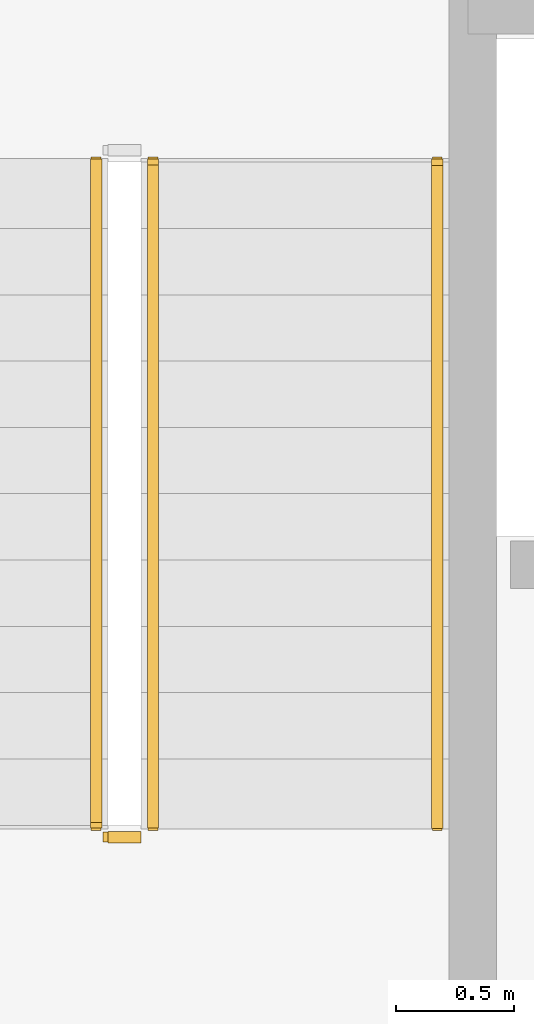
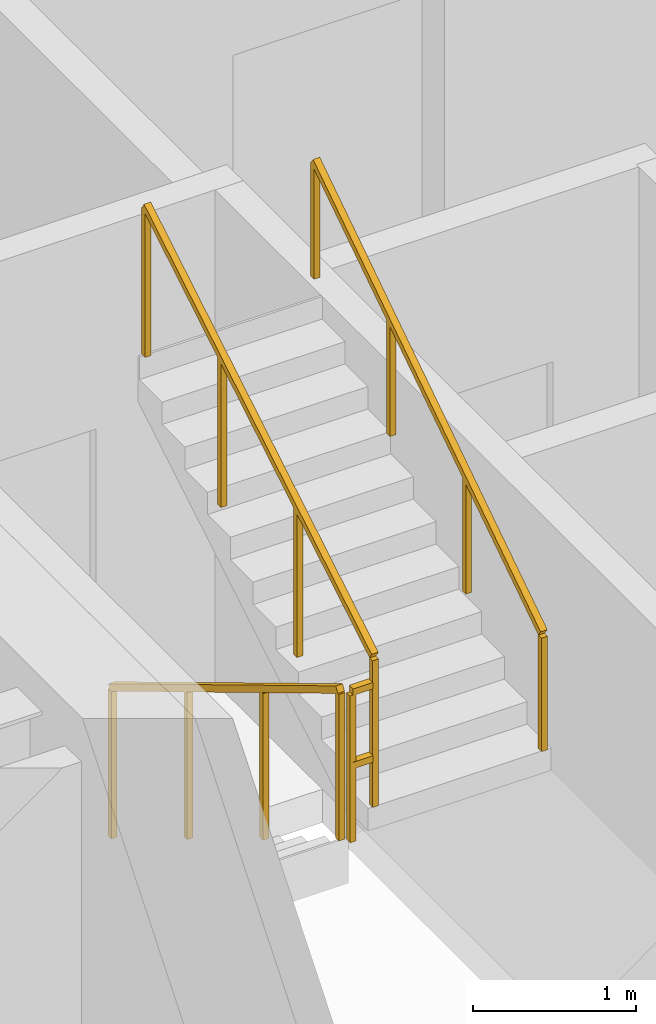
# One storey, part 15 of 19: 4 railings.
"""IFC4 building model written with IfcOpenShell, lengths in metres."""

from ifc_helpers import new_model, si_unit, derived_unit, direction, frame, origin, origin_2d, place, context, subcontext, project, spatial, rectangle, extrude, material, type_object, element, save


model = new_model("IFC4")

# Units and contexts
model_context = context("Model", 3, precision=1e-05, world=origin(), true_north=direction((0.0, 1.0)))
body_context = subcontext(model_context, "Body", "Model", "MODEL_VIEW")
ifc_project = project(units=[si_unit("LENGTHUNIT", "METRE"), si_unit("AREAUNIT", "SQUARE_METRE"), si_unit("VOLUMEUNIT", "CUBIC_METRE"), si_unit("PLANEANGLEUNIT", "RADIAN"), si_unit("MASSUNIT", "GRAM", prefix="KILO"), si_unit("THERMODYNAMICTEMPERATUREUNIT", "KELVIN"), si_unit("POWERUNIT", "WATT"), derived_unit("THERMALTRANSMITTANCEUNIT", [(si_unit("POWERUNIT", "WATT"), 1), (si_unit("AREAUNIT", "SQUARE_METRE"), -1), (si_unit("THERMODYNAMICTEMPERATUREUNIT", "KELVIN"), -1)])], contexts=[model_context])

# Site, building, storey
site_placement = place(None, origin())
site = spatial("IfcSite", under=ifc_project, at=site_placement, CompositionType="ELEMENT")
building_placement = place(site_placement, origin())
building = spatial("IfcBuilding", under=site, at=building_placement, Name="Zahravan Archway Hotel and Residences", CompositionType="ELEMENT")
storey_placement = place(building_placement, frame((0.0, 0.0, 54.60009765625)))
storey = spatial("IfcBuildingStorey", under=building, at=storey_placement, Name="L12", CompositionType="ELEMENT", Elevation=54.60009765625)

# Railings
ifc_material_1 = material(Name="Painted Tubular Steel", Category="steel")
railing_type_1 = type_object("IfcRailingType", Name="RL-STG-1150", PredefinedType="GUARDRAIL", material=ifc_material_1)
railing_1_placement = place(storey_placement, frame((36.550048828125, 9.72998046875, 0.16796875)))
element("IfcRailing", 1, at=railing_1_placement, inside=storey, type_object=railing_type_1, Name="L12 ST-A1 stair guard 1", PredefinedType="GUARDRAIL", context=body_context, shape_type="SweptSolid", body=[
    extrude(rectangle(XDim=0.048095703125, YDim=0.048095703125, at=origin_2d()), frame((0.0, 0.0, 1.1259765625), z_axis=(0.0, -0.857242210791, 0.514913383045), x_axis=(1.0, 0.0, 0.0)), (0.0, 0.0, 1.0), 3.266357421875),
    extrude(rectangle(XDim=0.0419921875, YDim=0.0419921875, at=origin_2d()), origin(), (0.0, 0.0, 1.0), 1.101806640625),
    extrude(rectangle(XDim=0.0419921875, YDim=0.0419921875, at=origin_2d()), frame((0.0, -0.933349609375, 0.560546875)), (0.0, 0.0, 1.0), 1.101806640625),
    extrude(rectangle(XDim=0.0419921875, YDim=0.0419921875, at=origin_2d()), frame((0.0, -1.86669921875, 1.121337890625)), (0.0, 0.0, 1.0), 1.101806640625),
    extrude(rectangle(XDim=0.0419921875, YDim=0.0419921875, at=origin_2d()), frame((0.0, -2.800048828125, 1.681884765625)), (0.0, 0.0, 1.0), 1.101806640625),
])
railing_2_placement = place(storey_placement, frame((36.60009765625, 6.8798828125, 1.849853515625)))
element("IfcRailing", 2, at=railing_2_placement, inside=storey, type_object=railing_type_1, Name="L12 ST-A1 stair guard 2", PredefinedType="GUARDRAIL", context=body_context, shape_type="SweptSolid", body=[
    extrude(rectangle(XDim=0.048095703125, YDim=0.048095703125, at=origin_2d()), frame((0.0, 0.0, 1.1259765625), z_axis=(1.0, 0.0, 0.0), x_axis=(0.0, 1.0, 0.0)), (0.0, 0.0, 1.0), 0.139892578125),
    extrude(rectangle(XDim=0.048095703125, YDim=0.048095703125, at=origin_2d()), frame((0.0, 0.0, 0.574951171875), z_axis=(1.0, 0.0, 0.0), x_axis=(0.0, 1.0, 0.0)), (0.0, 0.0, 1.0), 0.139892578125),
    extrude(rectangle(XDim=0.0419921875, YDim=0.0419921875, at=origin_2d()), origin(), (0.0, 0.0, 1.0), 1.101806640625),
])
railing_3_placement = place(storey_placement, frame((36.7900390625, 6.929931640625, 2.01806640625)))
element("IfcRailing", 3, at=railing_3_placement, inside=storey, type_object=railing_type_1, Name="L12 ST-A1 stair guard 3", PredefinedType="GUARDRAIL", context=body_context, shape_type="SweptSolid", body=[
    extrude(rectangle(XDim=0.048095703125, YDim=0.048095703125, at=origin_2d()), frame((0.0, 0.0, 1.1259765625), z_axis=(0.0, 0.857242210791, 0.514913383045), x_axis=(-1.0, 0.0, 0.0)), (0.0, 0.0, 1.0), 3.266357421875),
    extrude(rectangle(XDim=0.0419921875, YDim=0.0419921875, at=origin_2d()), origin(), (0.0, 0.0, 1.0), 1.101806640625),
    extrude(rectangle(XDim=0.0419921875, YDim=0.0419921875, at=origin_2d()), frame((0.0, 0.933349609375, 0.560546875)), (0.0, 0.0, 1.0), 1.101806640625),
    extrude(rectangle(XDim=0.0419921875, YDim=0.0419921875, at=origin_2d()), frame((0.0, 1.86669921875, 1.121337890625)), (0.0, 0.0, 1.0), 1.101806640625),
    extrude(rectangle(XDim=0.0419921875, YDim=0.0419921875, at=origin_2d()), frame((0.0, 2.800048828125, 1.681884765625)), (0.0, 0.0, 1.0), 1.101806640625),
])
ifc_material_2 = material(Name="Brushed Stainless Steel", Category="steel")
railing_type_2 = type_object("IfcRailingType", Name="RL-STH-900", PredefinedType="HANDRAIL", material=ifc_material_2)
railing_4_placement = place(storey_placement, frame((37.989990234375, 6.929931640625, 2.01806640625)))
element("IfcRailing", 4, at=railing_4_placement, inside=storey, type_object=railing_type_2, Name="L12 ST-A1 stair handrail 2", PredefinedType="HANDRAIL", context=body_context, shape_type="SweptSolid", body=[
    extrude(rectangle(XDim=0.048095703125, YDim=0.048095703125, at=origin_2d()), frame((0.0, 0.0, 0.8759765625), z_axis=(0.0, 0.834326358476, 0.551270829586), x_axis=(-1.0, 0.0, 0.0)), (0.0, 0.0, 1.0), 3.35595703125),
    extrude(rectangle(XDim=0.0419921875, YDim=0.0419921875, at=origin_2d()), origin(), (0.0, 0.0, 1.0), 0.851806640625),
    extrude(rectangle(XDim=0.0419921875, YDim=0.0419921875, at=origin_2d()), frame((0.0, 0.933349609375, 0.61669921875)), (0.0, 0.0, 1.0), 0.851806640625),
    extrude(rectangle(XDim=0.0419921875, YDim=0.0419921875, at=origin_2d()), frame((0.0, 1.86669921875, 1.2333984375)), (0.0, 0.0, 1.0), 0.851806640625),
    extrude(rectangle(XDim=0.0419921875, YDim=0.0419921875, at=origin_2d()), frame((0.0, 2.800048828125, 1.85009765625)), (0.0, 0.0, 1.0), 0.851806640625),
])

save(model, "model.ifc")
